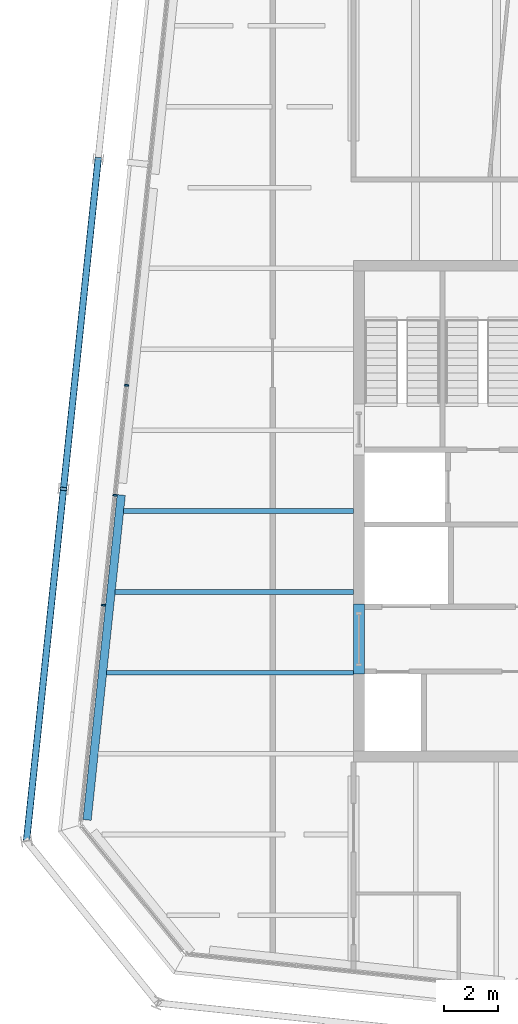
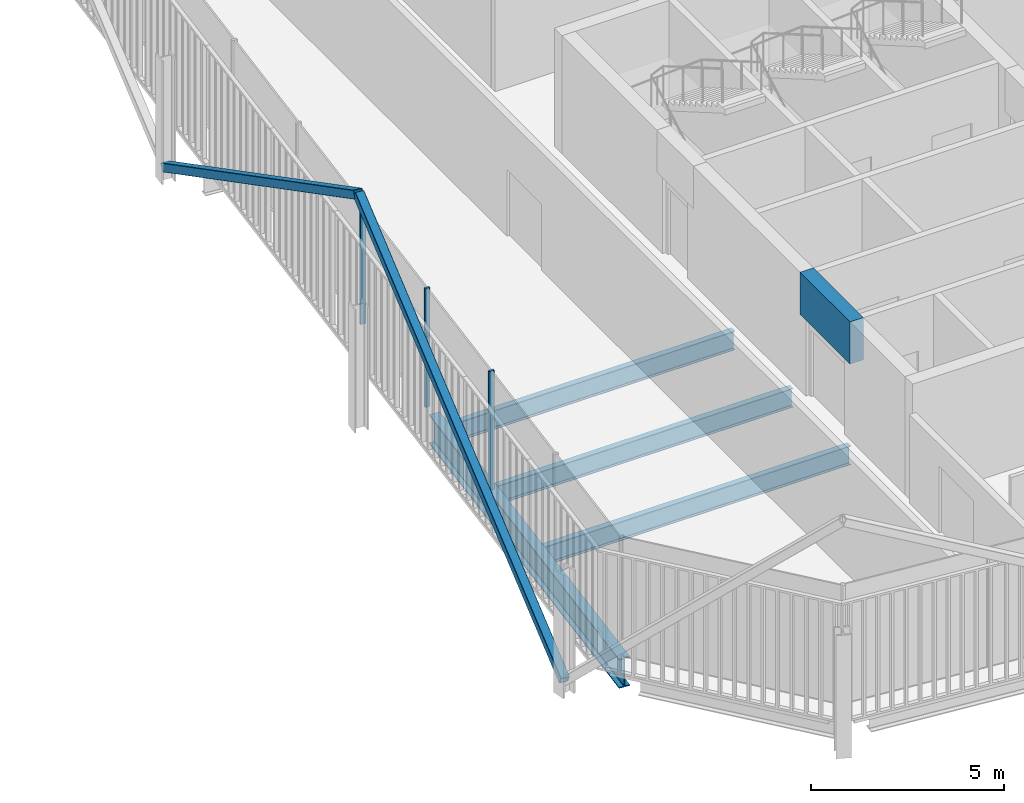
# One storey, part 6 of 21: 5 beams, 5 members, 1 element without a shape of its own.
"""IFC4 building model written with IfcOpenShell, lengths in metres."""

from ifc_helpers import new_model, si_unit, direction, frame, origin, origin_2d, place, context, subcontext, project, spatial, rectangle, hollow_rectangle, i_section, extrude, material, layer, layer_set, material_profile, profile_set, type_object, element, aggregate, save


model = new_model("IFC4")

# Units and contexts
model_context = context("Model", 3, precision=1e-05, world=origin(), true_north=direction((0.0, 1.0)))
body_context = subcontext(model_context, "Body", "Model", "MODEL_VIEW")
ifc_project = project(units=[si_unit("LENGTHUNIT", "METRE"), si_unit("AREAUNIT", "SQUARE_METRE"), si_unit("VOLUMEUNIT", "CUBIC_METRE"), si_unit("PLANEANGLEUNIT", "RADIAN"), si_unit("MASSUNIT", "GRAM", prefix="KILO")], contexts=[model_context])

# Site, building, storey
site_placement = place(None, origin())
site = spatial("IfcSite", under=ifc_project, at=site_placement, CompositionType="ELEMENT")
building_placement = place(site_placement, origin())
building = spatial("IfcBuilding", under=site, at=building_placement, Name="Millrace Tower", CompositionType="ELEMENT")
storey_placement = place(building_placement, frame((0.0, 0.0, 276.0)))
storey = spatial("IfcBuildingStorey", under=building, at=storey_placement, Name="L63", CompositionType="ELEMENT", Elevation=276.0)

# Curtain wall, members
ifc_material_1 = material(Name="Aluminium and glass", Category="aluminium")
ifc_layer = layer(ifc_material_1, 0.14990234375)
ifc_layer_set = layer_set([ifc_layer], Name="Aluminium and glass")
curtain_wall_type = type_object("IfcCurtainWallType", Name="CW-1 office vision curtain wall", PredefinedType="NOTDEFINED", material=ifc_layer_set)
curtain_wall_placement = place(storey_placement, origin())
curtain_wall = element("IfcCurtainWall", 1, at=curtain_wall_placement, inside=storey, type_object=curtain_wall_type, Name="Curtain wall E-F08 L63", PredefinedType="NOTDEFINED")
ifc_material_2 = material(Name="Aluminium", Category="aluminium")
ifc_material_profile_1 = material_profile(ifc_material_2, rectangle(XDim=0.06494140625, YDim=0.14990234375, at=origin_2d()))
ifc_profile_set_1 = profile_set([ifc_material_profile_1], Name="Aluminium")
member_type_1 = type_object("IfcMemberType", Name="CW-1 office vision curtain wall mullion", PredefinedType="MULLION", material=ifc_profile_set_1)
member_1_placement = place(storey_placement, frame((-22.717529296875, 4.664794921875, 0.139892578125), z_axis=(0.0, 0.0, 1.0), x_axis=(-0.104528455196, -0.994521896217, 0.0)))
member_1 = element("IfcMember", 2, at=member_1_placement, type_object=member_type_1, Name="CW1 mullion E-F08.6", PredefinedType="MULLION", context=body_context, shape_type="SweptSolid", body=[
    extrude(rectangle(XDim=0.06494140625, YDim=0.14990234375, at=origin_2d()), origin(), (0.0, 0.0, 1.0), 3.760009765625),
])
member_2_placement = place(storey_placement, frame((-23.146240234375, 0.587158203125, 0.139892578125), z_axis=(0.0, 0.0, 1.0), x_axis=(-0.104528455196, -0.994521896217, 0.0)))
member_2 = element("IfcMember", 3, at=member_2_placement, type_object=member_type_1, Name="CW1 mullion E-F08.7", PredefinedType="MULLION", context=body_context, shape_type="SweptSolid", body=[
    extrude(rectangle(XDim=0.06494140625, YDim=0.14990234375, at=origin_2d()), origin(), (0.0, 0.0, 1.0), 3.760009765625),
])
member_3_placement = place(storey_placement, frame((-23.57470703125, -3.490234375, 0.139892578125), z_axis=(0.0, 0.0, 1.0), x_axis=(-0.104528455196, -0.994521896217, 0.0)))
member_3 = element("IfcMember", 4, at=member_3_placement, type_object=member_type_1, Name="CW1 mullion E-F08.8", PredefinedType="MULLION", context=body_context, shape_type="SweptSolid", body=[
    extrude(rectangle(XDim=0.06494140625, YDim=0.14990234375, at=origin_2d()), origin(), (0.0, 0.0, 1.0), 3.760009765625),
])
aggregate(curtain_wall, [member_1, member_2, member_3])

# Beam
ifc_material_3 = material(Name="Concrete C60", Category="concrete")
ifc_material_profile_2 = material_profile(ifc_material_3, rectangle(XDim=0.39990234375, YDim=1.340087890625, at=origin_2d()))
ifc_profile_set_2 = profile_set([ifc_material_profile_2], Name="Concrete C60")
beam_type_1 = type_object("IfcBeamType", Name="Coupling beam 400 x 1340 Concrete C60, 2000 opening", PredefinedType="BEAM", material=ifc_profile_set_2)
beam_1_placement = place(storey_placement, frame((-14.10009765625, -6.050048828125, 3.070068359375), z_axis=(0.0, 1.0, 0.0), x_axis=(-1.0, 0.0, 0.0)))
element("IfcBeam", 5, at=beam_1_placement, inside=storey, type_object=beam_type_1, Name="Coupling beam W L63", PredefinedType="BEAM", context=body_context, shape_type="SweptSolid", body=[
    extrude(rectangle(XDim=0.39990234375, YDim=1.340087890625, at=origin_2d()), origin(), (0.0, 0.0, 1.0), 2.60009765625),
])

# Members
ifc_material_4 = material(Name="Steel ASTM A500 Grade C", Category="steel")
ifc_material_profile_3 = material_profile(ifc_material_4, hollow_rectangle(XDim=0.25390625, YDim=0.25390625, WallThickness=0.0126953125, InnerFilletRadius=0.00634765625, OuterFilletRadius=0.01904296875, at=origin_2d()))
ifc_profile_set_3 = profile_set([ifc_material_profile_3], Name="Steel ASTM A500 Grade C")
member_type_2 = type_object("IfcMemberType", Name="Exoskeleton brace HSS10x10x1/2", PredefinedType="BRACE", material=ifc_profile_set_3)
member_4_placement = place(storey_placement, frame((-23.771484375, 13.053466796875, 0.39990234375), z_axis=(-0.090859841027, -0.864350167962, 0.494614270348), x_axis=(0.994520342986, -0.104543232143, 0.0)))
element("IfcMember", 6, at=member_4_placement, inside=storey, type_object=member_type_2, Name="BRC-E-L63-15", PredefinedType="BRACE", context=body_context, shape_type="SweptSolid", body=[
    extrude(hollow_rectangle(XDim=0.25390625, YDim=0.25390625, WallThickness=0.0126953125, InnerFilletRadius=0.00634765625, OuterFilletRadius=0.01904296875, at=origin_2d()), origin(), (0.0, 0.0, 1.0), 14.15234375),
])
member_5_placement = place(storey_placement, frame((-26.429443359375, -12.23583984375, 0.39990234375), z_axis=(0.092220680702, 0.877573310314, 0.47048956532), x_axis=(-0.994523779096, 0.104510539239, 0.0)))
element("IfcMember", 7, at=member_5_placement, inside=storey, type_object=member_type_2, Name="BRC-E-L63-16", PredefinedType="BRACE", context=body_context, shape_type="SweptSolid", body=[
    extrude(hollow_rectangle(XDim=0.25390625, YDim=0.25390625, WallThickness=0.0126953125, InnerFilletRadius=0.00634765625, OuterFilletRadius=0.01904296875, at=origin_2d()), origin(), (0.0, 0.0, 1.0), 14.878173828125),
])

# Beams
ifc_material_5 = material(Name="Steel ASTM A992 Grade 50", Category="steel")
ifc_material_profile_4 = material_profile(ifc_material_5, i_section(OverallWidth=0.177978515625, OverallDepth=0.599365234375, WebThickness=0.010009765625, FlangeThickness=0.012939453125, FilletRadius=0.012939453125, at=origin_2d()))
ifc_profile_set_4 = profile_set([ifc_material_profile_4], Name="Steel ASTM A992 Grade 50")
beam_type_2 = type_object("IfcBeamType", Name="Floor beam W24x55", PredefinedType="JOIST", material=ifc_profile_set_4)
beam_2_placement = place(storey_placement, frame((-23.4541015625, -6.0, -0.459716796875), z_axis=(1.0, 0.0, 0.0), x_axis=(0.0, 1.0, 0.0)))
element("IfcBeam", 8, at=beam_2_placement, inside=storey, type_object=beam_type_2, Name="BM-E-L63-S1-S009", PredefinedType="JOIST", context=body_context, shape_type="SweptSolid", body=[
    extrude(i_section(OverallWidth=0.177978515625, OverallDepth=0.599365234375, WebThickness=0.010009765625, FlangeThickness=0.012939453125, FilletRadius=0.012939453125, at=origin_2d()), origin(), (0.0, 0.0, 1.0), 9.154052734375),
])
beam_3_placement = place(storey_placement, frame((-23.138916015625, -3.0, -0.459716796875), z_axis=(1.0, 0.0, 0.0), x_axis=(0.0, 1.0, 0.0)))
element("IfcBeam", 9, at=beam_3_placement, inside=storey, type_object=beam_type_2, Name="BM-E-L63-S1-S012", PredefinedType="JOIST", context=body_context, shape_type="SweptSolid", body=[
    extrude(i_section(OverallWidth=0.177978515625, OverallDepth=0.599365234375, WebThickness=0.010009765625, FlangeThickness=0.012939453125, FilletRadius=0.012939453125, at=origin_2d()), origin(), (0.0, 0.0, 1.0), 8.8388671875),
])
beam_4_placement = place(storey_placement, frame((-22.823486328125, 0.0, -0.459716796875), z_axis=(1.0, 0.0, 0.0), x_axis=(0.0, 1.0, 0.0)))
element("IfcBeam", 10, at=beam_4_placement, inside=storey, type_object=beam_type_2, Name="BM-E-L63-S1-S015", PredefinedType="JOIST", context=body_context, shape_type="SweptSolid", body=[
    extrude(i_section(OverallWidth=0.177978515625, OverallDepth=0.599365234375, WebThickness=0.010009765625, FlangeThickness=0.012939453125, FilletRadius=0.012939453125, at=origin_2d()), origin(), (0.0, 0.0, 1.0), 8.5234375),
])
ifc_material_6 = material(Name="Steel ASTM A992 Grade 50", Category="steel")
ifc_material_profile_5 = material_profile(ifc_material_6, i_section(OverallWidth=0.307373046875, OverallDepth=0.927001953125, WebThickness=0.01953125, FlangeThickness=0.031982421875, FilletRadius=0.01904296875, at=origin_2d()))
ifc_profile_set_5 = profile_set([ifc_material_profile_5], Name="Steel ASTM A992 Grade 50")
beam_type_3 = type_object("IfcBeamType", Name="Ring beam medium span W36x194", PredefinedType="SPANDREL", material=ifc_profile_set_5)
beam_5_placement = place(storey_placement, frame((-24.182373046875, -11.4580078125, -0.62353515625), z_axis=(0.104544276319, 0.994520233222, 0.0), x_axis=(-0.994520233222, 0.104544276319, 0.0)))
element("IfcBeam", 11, at=beam_5_placement, inside=storey, type_object=beam_type_3, Name="RNG-E-L63-S1-01", PredefinedType="SPANDREL", context=body_context, shape_type="SweptSolid", body=[
    extrude(i_section(OverallWidth=0.307373046875, OverallDepth=0.927001953125, WebThickness=0.01953125, FlangeThickness=0.031982421875, FilletRadius=0.01904296875, at=origin_2d()), origin(), (0.0, 0.0, 1.0), 12.1201171875),
])

save(model, "model.ifc")
